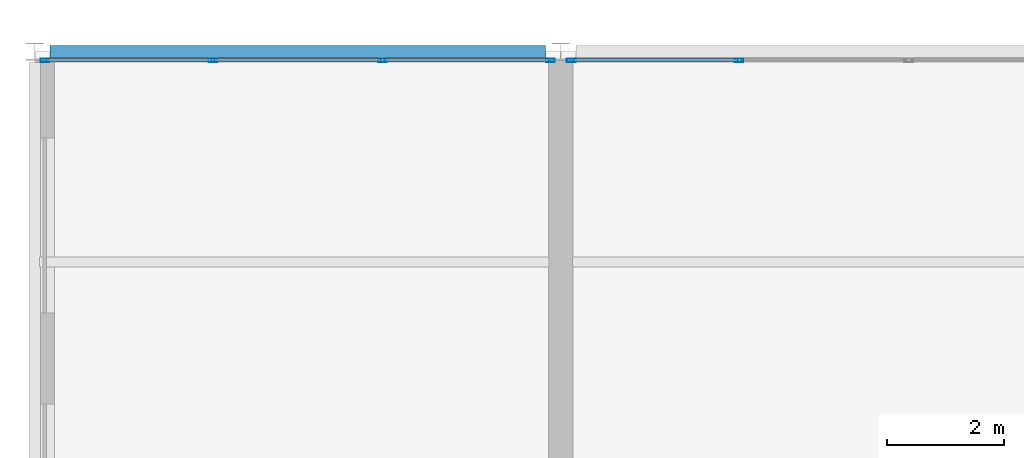
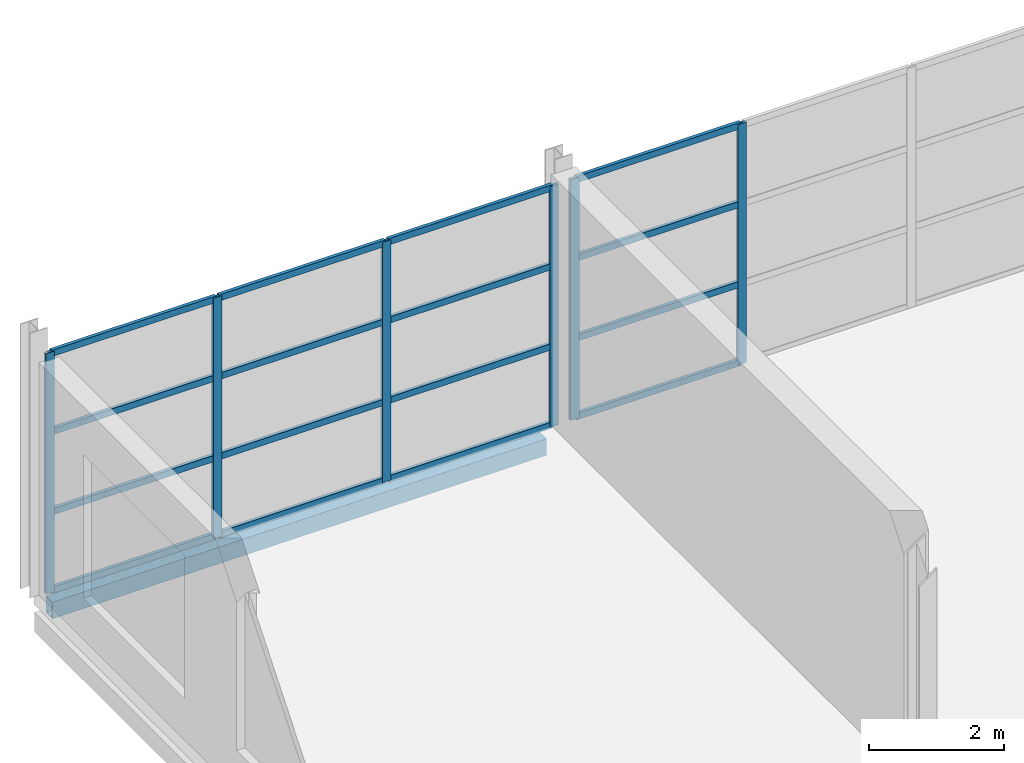
# One storey, part 55 of 134: 22 members, 1 beam, 2 elements without a shape of their own.
"""IFC4 building model written with IfcOpenShell, lengths in metres."""

import ifcopenshell
import ifcopenshell.guid

model = None  # the IFC model being written
_history = None  # IfcOwnerHistory: only IFC2X3 demands one
_inside = {}  # id of a spatial element -> (the spatial element, [elements in it])
_under = {}  # id of a project, library or spatial element -> (it, [spatial elements below it])
_declared = {}  # id of a project -> (the project, [libraries it declares])
_typed = {}  # id of a type object -> (the type object, [elements of that type])
_made_of = {}  # id of a material, layer set ... -> (it, [elements and type objects made of it])


def new_model(schema):
    """Start an empty IFC model of exactly this schema.

    Asked for "IFC4X3", IfcOpenShell would pick the latest addendum, in which some entities
    have other attributes; the version numbers below select the first issue.
    IFC2X3 requires an IfcOwnerHistory on every rooted entity: one is made here for all.
    """
    global model, _history
    if schema == "IFC4X3":
        model = ifcopenshell.file(schema_version=(4, 3, 0, 0))
    else:
        model = ifcopenshell.file(schema=schema)
    _inside.clear()
    _under.clear()
    _declared.clear()
    _typed.clear()
    _made_of.clear()
    _history = None
    if model.schema == "IFC2X3":
        org = make("IfcOrganization", Name="unknown")
        user = make(
            "IfcPersonAndOrganization",
            ThePerson=make("IfcPerson", FamilyName="unknown"),
            TheOrganization=org,
        )
        app = make(
            "IfcApplication",
            ApplicationDeveloper=org,
            Version="unknown",
            ApplicationFullName="unknown",
            ApplicationIdentifier="unknown",
        )
        _history = make(
            "IfcOwnerHistory",
            OwningUser=user,
            OwningApplication=app,
            ChangeAction="ADDED",
            CreationDate=0,
        )
    return model


def make(cls, **values):
    """One entity of the class cls with the attributes given. An attribute that is None is left unset."""
    return model.create_entity(
        cls, **{name: value for name, value in values.items() if value is not None}
    )


def rooted(cls, **values):
    """An entity with a GlobalId (a new one), such as an element, a storey or a relation."""
    return make(cls, GlobalId=ifcopenshell.guid.new(), OwnerHistory=_history, **values)


def si_unit(unit_type, name, prefix=None):
    """IfcSIUnit, for example si_unit("LENGTHUNIT", "METRE", prefix="MILLI")."""
    return make("IfcSIUnit", UnitType=unit_type, Prefix=prefix, Name=name)


def assignment(units):
    """IfcUnitAssignment: the units of a project."""
    return None if units is None else make("IfcUnitAssignment", Units=units)


def point(xyz):
    """IfcCartesianPoint."""
    return None if xyz is None else make("IfcCartesianPoint", Coordinates=xyz)


def direction(xyz):
    """IfcDirection."""
    return None if xyz is None else make("IfcDirection", DirectionRatios=xyz)


def frame(location, z_axis=None, x_axis=None):
    """IfcAxis2Placement3D, a coordinate frame: its origin and axes. An axis left out is left unset."""
    return make(
        "IfcAxis2Placement3D",
        Location=point(location),
        Axis=direction(z_axis),
        RefDirection=direction(x_axis),
    )


def frame_2d(location, x_axis=None):
    """IfcAxis2Placement2D, a coordinate frame in the plane: its origin and x axis."""
    return make(
        "IfcAxis2Placement2D", Location=point(location), RefDirection=direction(x_axis)
    )


def origin():
    """The frame at (0, 0, 0) with its axes left unset."""
    return frame((0.0, 0.0, 0.0))


def origin_2d():
    """The frame at (0, 0) in the plane with its x axis left unset."""
    return frame_2d((0.0, 0.0))


def place(relative_to, where):
    """IfcLocalPlacement: puts the frame where relative to a parent placement (None: the world)."""
    return make(
        "IfcLocalPlacement", PlacementRelTo=relative_to, RelativePlacement=where
    )


def context(
    kind, dimensions, precision=None, world=None, true_north=None, identifier=None
):
    """IfcGeometricRepresentationContext, for example the 3D "Model" context."""
    return make(
        "IfcGeometricRepresentationContext",
        ContextIdentifier=identifier,
        ContextType=kind,
        CoordinateSpaceDimension=dimensions,
        Precision=precision,
        WorldCoordinateSystem=world,
        TrueNorth=true_north,
    )


def subcontext(parent, identifier, kind, view, scale=None):
    """IfcGeometricRepresentationSubContext, for example "Body" below "Model"."""
    return make(
        "IfcGeometricRepresentationSubContext",
        ContextIdentifier=identifier,
        ContextType=kind,
        ParentContext=parent,
        TargetScale=scale,
        TargetView=view,
    )


def project(units=None, contexts=None):
    """IfcProject with its units and contexts."""
    return rooted(
        "IfcProject",
        Name="project",
        RepresentationContexts=contexts,
        UnitsInContext=assignment(units),
    )


def spatial(cls, under=None, at=None, **own):
    """A site, building, storey or space (cls), placed at a placement, below another one or the project."""
    s = rooted(cls, ObjectPlacement=at, **own)
    if under is not None:
        _under.setdefault(under.id(), (under, []))[1].append(s)
    return s


def profile(cls, at=None, kind="AREA", **sizes):
    """A parametric profile (cls). Its sizes go by their IFC names, for example OverallWidth=200.0."""
    return make(cls, ProfileType=kind, Position=at, **sizes)


def hollow_rectangle(**sizes):
    """IfcRectangleHollowProfileDef."""
    return profile("IfcRectangleHollowProfileDef", **sizes)


def extrude(swept, where, along, depth):
    """IfcExtrudedAreaSolid: the profile swept, set in the frame where, extruded along a direction by depth."""
    return make(
        "IfcExtrudedAreaSolid",
        SweptArea=swept,
        Position=where,
        ExtrudedDirection=direction(along),
        Depth=depth,
    )


def shape(context_of_items, identifier, shape_type, items):
    """IfcShapeRepresentation: the items that make up one representation, for example the "Body"."""
    return make(
        "IfcShapeRepresentation",
        ContextOfItems=context_of_items,
        RepresentationIdentifier=identifier,
        RepresentationType=shape_type,
        Items=items,
    )


def material(Name=None, Category=None):
    """IfcMaterial."""
    return make("IfcMaterial", Name=Name, Category=Category)


def layer(
    of_material, thickness, ventilated=None, Name=None, Category=None, Priority=None
):
    """IfcMaterialLayer: one layer of a wall or slab, of a material (None: an air gap)."""
    return make(
        "IfcMaterialLayer",
        Material=of_material,
        LayerThickness=thickness,
        IsVentilated=ventilated,
        Name=Name,
        Category=Category,
        Priority=Priority,
    )


def layer_set(layers, Name=None):
    """IfcMaterialLayerSet."""
    return make("IfcMaterialLayerSet", MaterialLayers=layers, LayerSetName=Name)


def material_profile(
    of_material, cross_section, Name=None, Category=None, Priority=None
):
    """IfcMaterialProfile: a cross section and its material."""
    return make(
        "IfcMaterialProfile",
        Name=Name,
        Material=of_material,
        Profile=cross_section,
        Priority=Priority,
        Category=Category,
    )


def profile_set(profiles, Name=None, composite=None):
    """IfcMaterialProfileSet."""
    return make(
        "IfcMaterialProfileSet",
        Name=Name,
        MaterialProfiles=profiles,
        CompositeProfile=composite,
    )


def made_of(thing, what):
    """Note that an element or type object is made of a material, layer set ...; save() writes the relation."""
    if what is not None:
        _made_of.setdefault(what.id(), (what, []))[1].append(thing)
    return thing


def type_object(cls, material=None, **own):
    """A type object (cls), such as IfcWallType, which elements share."""
    return made_of(rooted(cls, **own), material)


def element(
    cls,
    number,
    at=None,
    inside=None,
    cuts=None,
    type_object=None,
    material=None,
    context=None,
    identifier="Body",
    shape_type=None,
    held_by="IfcProductDefinitionShape",
    body=None,
    shapes=None,
    **own,
):
    """One element of the class cls, such as IfcWall. Its Tag is "e" and its number.

    at: its placement. inside: the storey or other place that contains it. cuts: it is an
    opening in that element (IfcRelVoidsElement). A single representation is given by context,
    identifier, shape_type and body (its items); several are given by shapes. held_by: the class
    of the entity that holds the representations. save() writes the other relations.
    """
    e = rooted(cls, Tag="e%d" % number, ObjectPlacement=at, **own)
    if body is not None:
        shapes = [shape(context, identifier, shape_type, body)]
    if shapes is not None:
        e.Representation = make(held_by, Representations=shapes)
    if inside is not None:
        _inside.setdefault(inside.id(), (inside, []))[1].append(e)
    if cuts is not None:
        rooted(
            "IfcRelVoidsElement", RelatingBuildingElement=cuts, RelatedOpeningElement=e
        )
    if type_object is not None:
        _typed.setdefault(type_object.id(), (type_object, []))[1].append(e)
    return made_of(e, material)


def aggregate(whole, parts):
    """IfcRelAggregates: a whole, such as a stair, and the parts it consists of."""
    return rooted("IfcRelAggregates", RelatingObject=whole, RelatedObjects=parts)


def save(model, path):
    """Write the relations noted so far, then the file.

    IfcRelAggregates (storeys below a building ...), IfcRelContainedInSpatialStructure (elements
    in a storey), IfcRelDefinesByType, IfcRelAssociatesMaterial and IfcRelDeclares: one each for
    every whole, place, type object, material and project.
    """
    for whole, parts in _under.values():
        aggregate(whole, parts)
    for where, things in _inside.values():
        rooted(
            "IfcRelContainedInSpatialStructure",
            RelatedElements=things,
            RelatingStructure=where,
        )
    for kind, things in _typed.values():
        rooted("IfcRelDefinesByType", RelatedObjects=things, RelatingType=kind)
    for what, things in _made_of.values():
        rooted("IfcRelAssociatesMaterial", RelatedObjects=things, RelatingMaterial=what)
    for by, libraries in _declared.values():
        rooted("IfcRelDeclares", RelatingContext=by, RelatedDefinitions=libraries)
    model.write(path)


model = new_model("IFC4")

# Units and contexts
model_context = context("Model", 3, precision=1e-05, world=origin(), true_north=direction((0.0, 1.0)))
body_context = subcontext(model_context, "Body", "Model", "MODEL_VIEW")
ifc_project = project(units=[si_unit("LENGTHUNIT", "METRE"), si_unit("AREAUNIT", "SQUARE_METRE"), si_unit("VOLUMEUNIT", "CUBIC_METRE"), si_unit("PLANEANGLEUNIT", "RADIAN"), si_unit("MASSUNIT", "GRAM", prefix="KILO")], contexts=[model_context])

# Site, building, storey
site_placement = place(None, origin())
site = spatial("IfcSite", under=ifc_project, at=site_placement, CompositionType="ELEMENT")
building_placement = place(site_placement, origin())
building = spatial("IfcBuilding", under=site, at=building_placement, Name="Tamarisk Ironworks Central Station", CompositionType="ELEMENT")
storey_placement = place(building_placement, frame((0.0, 0.0, 12.60009765625)))
storey = spatial("IfcBuildingStorey", under=building, at=storey_placement, Name="L02", CompositionType="ELEMENT", Elevation=12.60009765625)

# Beam
ifc_material_1 = material(Name="Structural steel S355J2", Category="steel")
ifc_material_profile_1 = material_profile(ifc_material_1, hollow_rectangle(XDim=0.199951171875, YDim=0.300048828125, WallThickness=0.011962890625, at=origin_2d()), Name="RHS 300x200x12")
ifc_profile_set_1 = profile_set([ifc_material_profile_1], Name="Structural steel S355J2")
beam_type = type_object("IfcBeamType", Name="BM-SP02", PredefinedType="SPANDREL", material=ifc_profile_set_1)
beam_placement = place(storey_placement, frame((0.262939453125, 122.39990234375, -0.400146484375), z_axis=(1.0, 0.0, 0.0), x_axis=(0.0, 1.0, 0.0)))
element("IfcBeam", 1, at=beam_placement, inside=storey, type_object=beam_type, Name="L02 primary girder X-0406", PredefinedType="SPANDREL", context=body_context, shape_type="SweptSolid", body=[
    extrude(hollow_rectangle(XDim=0.199951171875, YDim=0.300048828125, WallThickness=0.011962890625, at=origin_2d()), origin(), (0.0, 0.0, 1.0), 8.47412109375),
])

# Curtain wall, members
ifc_material_2 = material(Name="Anodized aluminium alloy 6063-T6", Category="aluminium")
ifc_layer = layer(ifc_material_2, 0.179931640625)
ifc_layer_set = layer_set([ifc_layer], Name="Anodized aluminium alloy 6063-T6")
curtain_wall_type = type_object("IfcCurtainWallType", Name="CW-14", PredefinedType="USERDEFINED", material=ifc_layer_set)
curtain_wall_1_placement = place(storey_placement, origin())
curtain_wall_1 = element("IfcCurtainWall", 2, at=curtain_wall_1_placement, inside=storey, type_object=curtain_wall_type, Name="Pavilion L02 N glazed arcade 00", ObjectType="GLAZED CURTAIN WALL", PredefinedType="USERDEFINED")
ifc_material_profile_2 = material_profile(ifc_material_2, hollow_rectangle(XDim=0.06005859375, YDim=0.14990234375, WallThickness=0.00341796875, at=origin_2d()), Name="ALUM 150x60")
ifc_profile_set_2 = profile_set([ifc_material_profile_2], Name="Anodized aluminium alloy 6063-T6")
member_type_1 = type_object("IfcMemberType", Name="CWM-03", PredefinedType="MULLION", material=ifc_profile_set_2)
member_1_placement = place(storey_placement, frame((0.177978515625, 122.25, 0.0), z_axis=(0.0, 0.0, 1.0), x_axis=(0.0, 1.0, 0.0)))
member_1 = element("IfcMember", 3, at=member_1_placement, type_object=member_type_1, Name="CW14 mullion 1", PredefinedType="MULLION", context=body_context, shape_type="SweptSolid", body=[
    extrude(hollow_rectangle(XDim=0.06005859375, YDim=0.14990234375, WallThickness=0.00341796875, at=origin_2d()), origin(), (0.0, 0.0, 1.0), 4.35986328125),
])
member_2_placement = place(storey_placement, frame((3.04931640625, 122.25, 0.0), z_axis=(0.0, 0.0, 1.0), x_axis=(0.0, 1.0, 0.0)))
member_2 = element("IfcMember", 4, at=member_2_placement, type_object=member_type_1, Name="CW14 mullion 2", PredefinedType="MULLION", context=body_context, shape_type="SweptSolid", body=[
    extrude(hollow_rectangle(XDim=0.06005859375, YDim=0.14990234375, WallThickness=0.00341796875, at=origin_2d()), origin(), (0.0, 0.0, 1.0), 4.35986328125),
])
member_3_placement = place(storey_placement, frame((5.95068359375, 122.25, 0.0), z_axis=(0.0, 0.0, 1.0), x_axis=(0.0, 1.0, 0.0)))
member_3 = element("IfcMember", 5, at=member_3_placement, type_object=member_type_1, Name="CW14 mullion 3", PredefinedType="MULLION", context=body_context, shape_type="SweptSolid", body=[
    extrude(hollow_rectangle(XDim=0.06005859375, YDim=0.14990234375, WallThickness=0.00341796875, at=origin_2d()), origin(), (0.0, 0.0, 1.0), 4.35986328125),
])
member_4_placement = place(storey_placement, frame((8.822021484375, 122.25, 0.0), z_axis=(0.0, 0.0, 1.0), x_axis=(0.0, 1.0, 0.0)))
member_4 = element("IfcMember", 6, at=member_4_placement, type_object=member_type_1, Name="CW14 mullion 4", PredefinedType="MULLION", context=body_context, shape_type="SweptSolid", body=[
    extrude(hollow_rectangle(XDim=0.06005859375, YDim=0.14990234375, WallThickness=0.00341796875, at=origin_2d()), origin(), (0.0, 0.0, 1.0), 4.35986328125),
])

curtain_wall_2_placement = place(storey_placement, origin())
curtain_wall_2 = element("IfcCurtainWall", 7, at=curtain_wall_2_placement, inside=storey, type_object=curtain_wall_type, Name="Pavilion L02 N glazed arcade 09", ObjectType="GLAZED CURTAIN WALL", PredefinedType="USERDEFINED")
member_5_placement = place(storey_placement, frame((9.177978515625, 122.25, 0.0), z_axis=(0.0, 0.0, 1.0), x_axis=(0.0, 1.0, 0.0)))
member_5 = element("IfcMember", 8, at=member_5_placement, type_object=member_type_1, Name="CW14 mullion 1", PredefinedType="MULLION", context=body_context, shape_type="SweptSolid", body=[
    extrude(hollow_rectangle(XDim=0.06005859375, YDim=0.14990234375, WallThickness=0.00341796875, at=origin_2d()), origin(), (0.0, 0.0, 1.0), 4.35986328125),
])
member_6_placement = place(storey_placement, frame((12.04931640625, 122.25, 0.0), z_axis=(0.0, 0.0, 1.0), x_axis=(0.0, 1.0, 0.0)))
member_6 = element("IfcMember", 9, at=member_6_placement, type_object=member_type_1, Name="CW14 mullion 2", PredefinedType="MULLION", context=body_context, shape_type="SweptSolid", body=[
    extrude(hollow_rectangle(XDim=0.06005859375, YDim=0.14990234375, WallThickness=0.00341796875, at=origin_2d()), origin(), (0.0, 0.0, 1.0), 4.35986328125),
])

# Member
ifc_material_profile_3 = material_profile(ifc_material_2, hollow_rectangle(XDim=0.06005859375, YDim=0.114990234375, WallThickness=0.00341796875, at=origin_2d()), Name="ALUM 115x60")
ifc_profile_set_3 = profile_set([ifc_material_profile_3], Name="Anodized aluminium alloy 6063-T6")
member_type_2 = type_object("IfcMemberType", Name="CWT-03", PredefinedType="USERDEFINED", material=ifc_profile_set_3)
member_7_placement = place(storey_placement, frame((0.2041015625, 122.25, 0.02978515625), z_axis=(1.0, 0.0, 0.0), x_axis=(0.0, 1.0, 0.0)))
member_7 = element("IfcMember", 10, at=member_7_placement, type_object=member_type_2, Name="CW14 transom 1.1", ObjectType="TRANSOM", PredefinedType="USERDEFINED", context=body_context, shape_type="SweptSolid", body=[
    extrude(hollow_rectangle(XDim=0.06005859375, YDim=0.114990234375, WallThickness=0.00341796875, at=origin_2d()), origin(), (0.0, 0.0, 1.0), 2.8193359375),
])

member_8_placement = place(storey_placement, frame((0.2041015625, 122.25, 1.453125), z_axis=(1.0, 0.0, 0.0), x_axis=(0.0, 1.0, 0.0)))
member_8 = element("IfcMember", 11, at=member_8_placement, type_object=member_type_2, Name="CW14 transom 1.2", ObjectType="TRANSOM", PredefinedType="USERDEFINED", context=body_context, shape_type="SweptSolid", body=[
    extrude(hollow_rectangle(XDim=0.06005859375, YDim=0.114990234375, WallThickness=0.00341796875, at=origin_2d()), origin(), (0.0, 0.0, 1.0), 2.8193359375),
])

member_9_placement = place(storey_placement, frame((0.2041015625, 122.25, 2.906494140625), z_axis=(1.0, 0.0, 0.0), x_axis=(0.0, 1.0, 0.0)))
member_9 = element("IfcMember", 12, at=member_9_placement, type_object=member_type_2, Name="CW14 transom 1.3", ObjectType="TRANSOM", PredefinedType="USERDEFINED", context=body_context, shape_type="SweptSolid", body=[
    extrude(hollow_rectangle(XDim=0.06005859375, YDim=0.114990234375, WallThickness=0.00341796875, at=origin_2d()), origin(), (0.0, 0.0, 1.0), 2.8193359375),
])

member_10_placement = place(storey_placement, frame((0.2041015625, 122.25, 4.329833984375), z_axis=(1.0, 0.0, 0.0), x_axis=(0.0, 1.0, 0.0)))
member_10 = element("IfcMember", 13, at=member_10_placement, type_object=member_type_2, Name="CW14 transom 1.4", ObjectType="TRANSOM", PredefinedType="USERDEFINED", context=body_context, shape_type="SweptSolid", body=[
    extrude(hollow_rectangle(XDim=0.06005859375, YDim=0.114990234375, WallThickness=0.00341796875, at=origin_2d()), origin(), (0.0, 0.0, 1.0), 2.8193359375),
])

member_11_placement = place(storey_placement, frame((3.075439453125, 122.25, 0.02978515625), z_axis=(1.0, 0.0, 0.0), x_axis=(0.0, 1.0, 0.0)))
member_11 = element("IfcMember", 14, at=member_11_placement, type_object=member_type_2, Name="CW14 transom 2.1", ObjectType="TRANSOM", PredefinedType="USERDEFINED", context=body_context, shape_type="SweptSolid", body=[
    extrude(hollow_rectangle(XDim=0.06005859375, YDim=0.114990234375, WallThickness=0.00341796875, at=origin_2d()), origin(), (0.0, 0.0, 1.0), 2.84912109375),
])

member_12_placement = place(storey_placement, frame((3.075439453125, 122.25, 1.453125), z_axis=(1.0, 0.0, 0.0), x_axis=(0.0, 1.0, 0.0)))
member_12 = element("IfcMember", 15, at=member_12_placement, type_object=member_type_2, Name="CW14 transom 2.2", ObjectType="TRANSOM", PredefinedType="USERDEFINED", context=body_context, shape_type="SweptSolid", body=[
    extrude(hollow_rectangle(XDim=0.06005859375, YDim=0.114990234375, WallThickness=0.00341796875, at=origin_2d()), origin(), (0.0, 0.0, 1.0), 2.84912109375),
])

member_13_placement = place(storey_placement, frame((3.075439453125, 122.25, 2.906494140625), z_axis=(1.0, 0.0, 0.0), x_axis=(0.0, 1.0, 0.0)))
member_13 = element("IfcMember", 16, at=member_13_placement, type_object=member_type_2, Name="CW14 transom 2.3", ObjectType="TRANSOM", PredefinedType="USERDEFINED", context=body_context, shape_type="SweptSolid", body=[
    extrude(hollow_rectangle(XDim=0.06005859375, YDim=0.114990234375, WallThickness=0.00341796875, at=origin_2d()), origin(), (0.0, 0.0, 1.0), 2.84912109375),
])

member_14_placement = place(storey_placement, frame((3.075439453125, 122.25, 4.329833984375), z_axis=(1.0, 0.0, 0.0), x_axis=(0.0, 1.0, 0.0)))
member_14 = element("IfcMember", 17, at=member_14_placement, type_object=member_type_2, Name="CW14 transom 2.4", ObjectType="TRANSOM", PredefinedType="USERDEFINED", context=body_context, shape_type="SweptSolid", body=[
    extrude(hollow_rectangle(XDim=0.06005859375, YDim=0.114990234375, WallThickness=0.00341796875, at=origin_2d()), origin(), (0.0, 0.0, 1.0), 2.84912109375),
])

member_15_placement = place(storey_placement, frame((5.9765625, 122.25, 0.02978515625), z_axis=(1.0, 0.0, 0.0), x_axis=(0.0, 1.0, 0.0)))
member_15 = element("IfcMember", 18, at=member_15_placement, type_object=member_type_2, Name="CW14 transom 3.1", ObjectType="TRANSOM", PredefinedType="USERDEFINED", context=body_context, shape_type="SweptSolid", body=[
    extrude(hollow_rectangle(XDim=0.06005859375, YDim=0.114990234375, WallThickness=0.00341796875, at=origin_2d()), origin(), (0.0, 0.0, 1.0), 2.8193359375),
])

member_16_placement = place(storey_placement, frame((5.9765625, 122.25, 1.453125), z_axis=(1.0, 0.0, 0.0), x_axis=(0.0, 1.0, 0.0)))
member_16 = element("IfcMember", 19, at=member_16_placement, type_object=member_type_2, Name="CW14 transom 3.2", ObjectType="TRANSOM", PredefinedType="USERDEFINED", context=body_context, shape_type="SweptSolid", body=[
    extrude(hollow_rectangle(XDim=0.06005859375, YDim=0.114990234375, WallThickness=0.00341796875, at=origin_2d()), origin(), (0.0, 0.0, 1.0), 2.8193359375),
])

member_17_placement = place(storey_placement, frame((5.9765625, 122.25, 2.906494140625), z_axis=(1.0, 0.0, 0.0), x_axis=(0.0, 1.0, 0.0)))
member_17 = element("IfcMember", 20, at=member_17_placement, type_object=member_type_2, Name="CW14 transom 3.3", ObjectType="TRANSOM", PredefinedType="USERDEFINED", context=body_context, shape_type="SweptSolid", body=[
    extrude(hollow_rectangle(XDim=0.06005859375, YDim=0.114990234375, WallThickness=0.00341796875, at=origin_2d()), origin(), (0.0, 0.0, 1.0), 2.8193359375),
])

member_18_placement = place(storey_placement, frame((5.9765625, 122.25, 4.329833984375), z_axis=(1.0, 0.0, 0.0), x_axis=(0.0, 1.0, 0.0)))
member_18 = element("IfcMember", 21, at=member_18_placement, type_object=member_type_2, Name="CW14 transom 3.4", ObjectType="TRANSOM", PredefinedType="USERDEFINED", context=body_context, shape_type="SweptSolid", body=[
    extrude(hollow_rectangle(XDim=0.06005859375, YDim=0.114990234375, WallThickness=0.00341796875, at=origin_2d()), origin(), (0.0, 0.0, 1.0), 2.8193359375),
])

aggregate(curtain_wall_1, [member_1, member_2, member_3, member_4, member_7, member_8, member_9, member_10, member_11, member_12, member_13, member_14, member_15, member_16, member_17, member_18])

member_19_placement = place(storey_placement, frame((9.2041015625, 122.25, 0.02978515625), z_axis=(1.0, 0.0, 0.0), x_axis=(0.0, 1.0, 0.0)))
member_19 = element("IfcMember", 22, at=member_19_placement, type_object=member_type_2, Name="CW14 transom 1.1", ObjectType="TRANSOM", PredefinedType="USERDEFINED", context=body_context, shape_type="SweptSolid", body=[
    extrude(hollow_rectangle(XDim=0.06005859375, YDim=0.114990234375, WallThickness=0.00341796875, at=origin_2d()), origin(), (0.0, 0.0, 1.0), 2.8193359375),
])

member_20_placement = place(storey_placement, frame((9.2041015625, 122.25, 1.453125), z_axis=(1.0, 0.0, 0.0), x_axis=(0.0, 1.0, 0.0)))
member_20 = element("IfcMember", 23, at=member_20_placement, type_object=member_type_2, Name="CW14 transom 1.2", ObjectType="TRANSOM", PredefinedType="USERDEFINED", context=body_context, shape_type="SweptSolid", body=[
    extrude(hollow_rectangle(XDim=0.06005859375, YDim=0.114990234375, WallThickness=0.00341796875, at=origin_2d()), origin(), (0.0, 0.0, 1.0), 2.8193359375),
])

member_21_placement = place(storey_placement, frame((9.2041015625, 122.25, 2.906494140625), z_axis=(1.0, 0.0, 0.0), x_axis=(0.0, 1.0, 0.0)))
member_21 = element("IfcMember", 24, at=member_21_placement, type_object=member_type_2, Name="CW14 transom 1.3", ObjectType="TRANSOM", PredefinedType="USERDEFINED", context=body_context, shape_type="SweptSolid", body=[
    extrude(hollow_rectangle(XDim=0.06005859375, YDim=0.114990234375, WallThickness=0.00341796875, at=origin_2d()), origin(), (0.0, 0.0, 1.0), 2.8193359375),
])

member_22_placement = place(storey_placement, frame((9.2041015625, 122.25, 4.329833984375), z_axis=(1.0, 0.0, 0.0), x_axis=(0.0, 1.0, 0.0)))
member_22 = element("IfcMember", 25, at=member_22_placement, type_object=member_type_2, Name="CW14 transom 1.4", ObjectType="TRANSOM", PredefinedType="USERDEFINED", context=body_context, shape_type="SweptSolid", body=[
    extrude(hollow_rectangle(XDim=0.06005859375, YDim=0.114990234375, WallThickness=0.00341796875, at=origin_2d()), origin(), (0.0, 0.0, 1.0), 2.8193359375),
])

aggregate(curtain_wall_2, [member_5, member_6, member_19, member_20, member_21, member_22])

save(model, "model.ifc")
